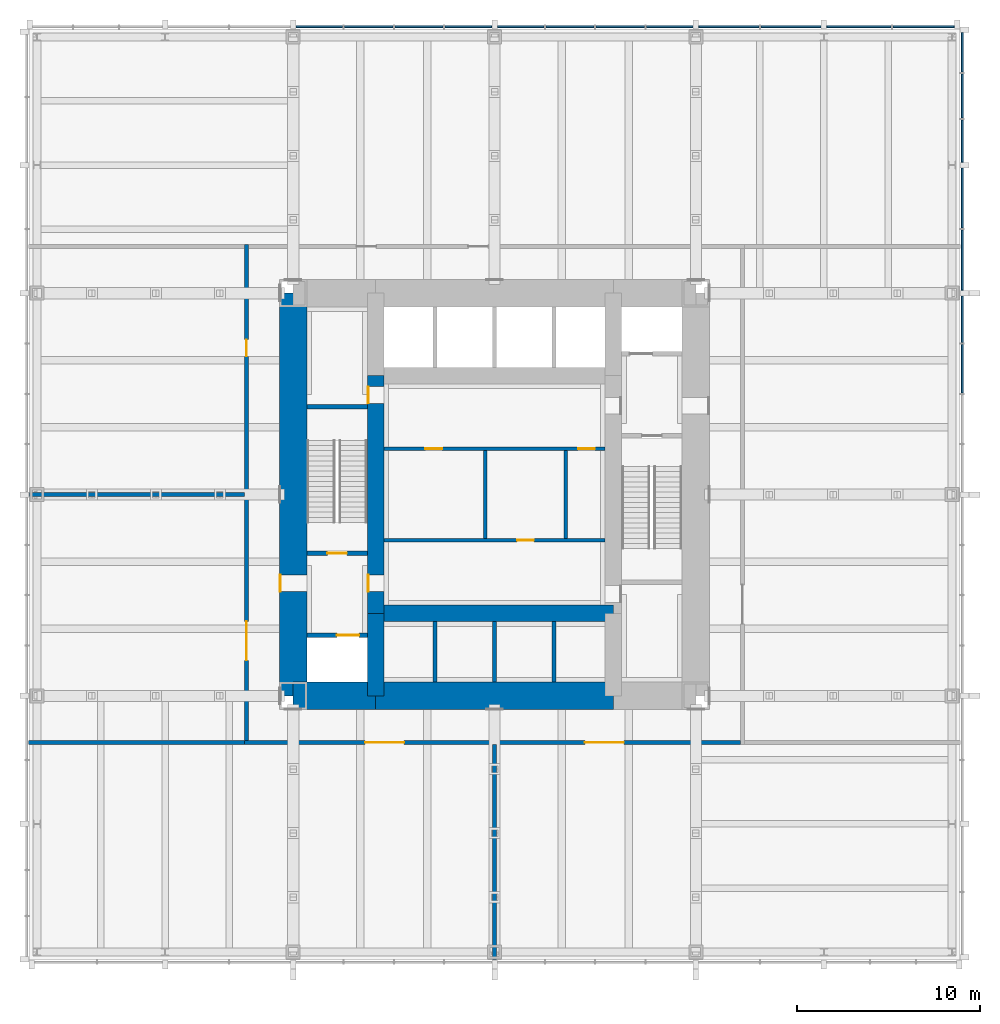
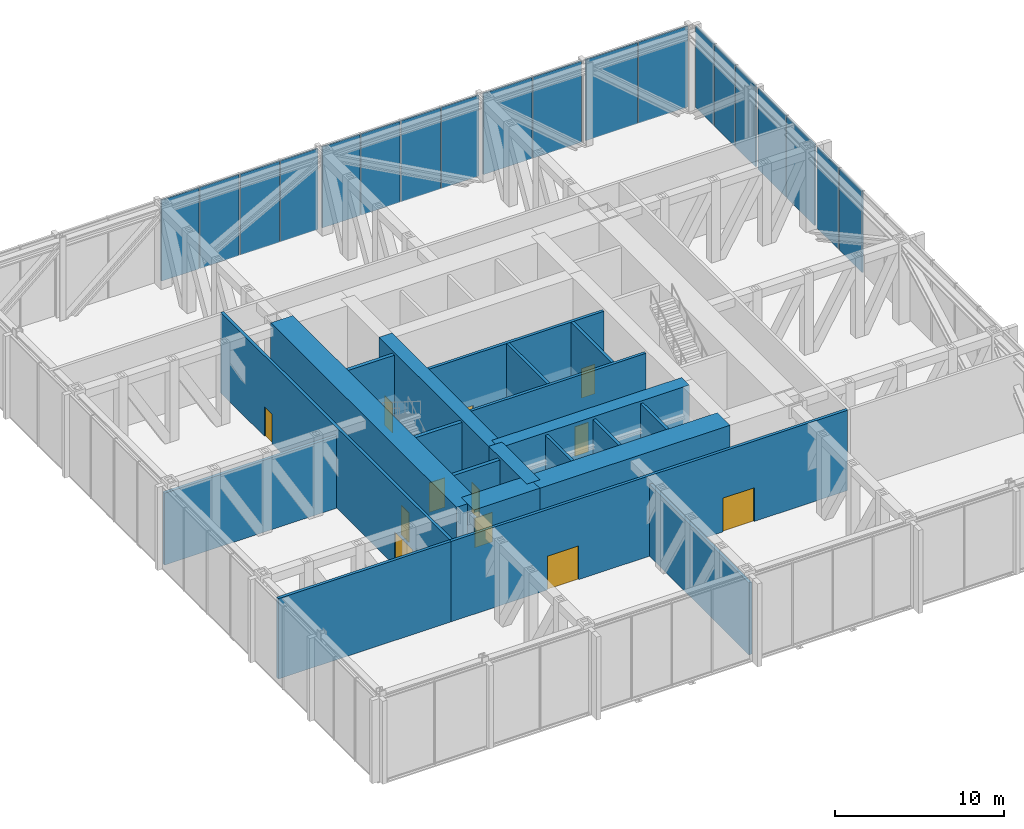
# One storey, part 11 of 13: 21 walls, 19 plates, 12 doors, 12 openings, 2 elements without a shape of their own.
"""IFC4 building model written with IfcOpenShell, lengths in metres."""

from ifc_helpers import new_model, si_unit, direction, frame, frame_2d, origin, origin_2d, place, context, subcontext, project, spatial, rectangle, extrude, material, layer, layer_set, type_object, element, fill, aggregate, save


model = new_model("IFC4")

# Units and contexts
model_context = context("Model", 3, precision=1e-05, world=origin(), true_north=direction((0.0, 1.0)))
body_context = subcontext(model_context, "Body", "Model", "MODEL_VIEW")
ifc_project = project(units=[si_unit("LENGTHUNIT", "METRE"), si_unit("AREAUNIT", "SQUARE_METRE"), si_unit("VOLUMEUNIT", "CUBIC_METRE"), si_unit("PLANEANGLEUNIT", "RADIAN"), si_unit("MASSUNIT", "GRAM", prefix="KILO")], contexts=[model_context])

# Site, building, storey
site_placement = place(None, origin())
site = spatial("IfcSite", under=ifc_project, at=site_placement, CompositionType="ELEMENT")
building_placement = place(site_placement, origin())
building = spatial("IfcBuilding", under=site, at=building_placement, Name="Trevanion Tower", CompositionType="ELEMENT")
storey_placement = place(building_placement, frame((0.0, 0.0, 89.800048828125)))
storey = spatial("IfcBuildingStorey", under=building, at=storey_placement, Name="L21", CompositionType="ELEMENT", Elevation=89.800048828125)

# Curtain wall, plates
ifc_material_1 = material(Name="Aluminium louvres", Category="aluminium")
curtain_wall_type = type_object("IfcCurtainWallType", Name="CWL curtain wall", PredefinedType="USERDEFINED", material=ifc_material_1)
curtain_wall_1_placement = place(storey_placement, origin())
curtain_wall_1 = element("IfcCurtainWall", 1, at=curtain_wall_1_placement, inside=storey, type_object=curtain_wall_type, Name="CWL L21 0", ObjectType="LOUVRE SCREEN", PredefinedType="USERDEFINED")
ifc_material_2 = material(Name="Aluminium louvres", Category="aluminium")
ifc_layer_1 = layer(ifc_material_2, 0.10009765625)
ifc_layer_set_1 = layer_set([ifc_layer_1], Name="CWL louvre panel")
plate_type = type_object("IfcPlateType", Name="CWL louvre panel", PredefinedType="CURTAIN_PANEL", material=ifc_layer_set_1)
plate_1_placement = place(storey_placement, frame((25.550048828125, 6.875, -0.114990234375), z_axis=(0.0, 0.0, 1.0), x_axis=(0.0, 1.0, 0.0)))
plate_1 = element("IfcPlate", 2, at=plate_1_placement, type_object=plate_type, Name="CWL panel 11.1", PredefinedType="CURTAIN_PANEL", context=body_context, shape_type="SweptSolid", body=[
    extrude(rectangle(XDim=2.675048828125, YDim=0.10009765625, at=origin_2d()), origin(), (0.0, 0.0, 1.0), 5.85009765625),
])
plate_2_placement = place(storey_placement, frame((25.550048828125, 9.56884765625, -0.114990234375), z_axis=(0.0, 0.0, 1.0), x_axis=(0.0, 1.0, 0.0)))
plate_2 = element("IfcPlate", 3, at=plate_2_placement, type_object=plate_type, Name="CWL panel 12.1", PredefinedType="CURTAIN_PANEL", context=body_context, shape_type="SweptSolid", body=[
    extrude(rectangle(XDim=2.5625, YDim=0.10009765625, at=origin_2d()), origin(), (0.0, 0.0, 1.0), 5.85009765625),
])
plate_3_placement = place(storey_placement, frame((25.550048828125, 12.80615234375, -0.114990234375), z_axis=(0.0, 0.0, 1.0), x_axis=(0.0, 1.0, 0.0)))
plate_3 = element("IfcPlate", 4, at=plate_3_placement, type_object=plate_type, Name="CWL panel 13.1", PredefinedType="CURTAIN_PANEL", context=body_context, shape_type="SweptSolid", body=[
    extrude(rectangle(XDim=3.3125, YDim=0.10009765625, at=origin_2d()), origin(), (0.0, 0.0, 1.0), 5.85009765625),
])
plate_4_placement = place(storey_placement, frame((25.550048828125, 16.19384765625, -0.114990234375), z_axis=(0.0, 0.0, 1.0), x_axis=(0.0, 1.0, 0.0)))
plate_4 = element("IfcPlate", 5, at=plate_4_placement, type_object=plate_type, Name="CWL panel 14.1", PredefinedType="CURTAIN_PANEL", context=body_context, shape_type="SweptSolid", body=[
    extrude(rectangle(XDim=3.3125, YDim=0.10009765625, at=origin_2d()), origin(), (0.0, 0.0, 1.0), 5.85009765625),
])
plate_5_placement = place(storey_placement, frame((25.550048828125, 19.314697265625, -0.114990234375), z_axis=(0.0, 0.0, 1.0), x_axis=(0.0, 1.0, 0.0)))
plate_5 = element("IfcPlate", 6, at=plate_5_placement, type_object=plate_type, Name="CWL panel 15.1", PredefinedType="CURTAIN_PANEL", context=body_context, shape_type="SweptSolid", body=[
    extrude(rectangle(XDim=2.3291015625, YDim=0.10009765625, at=origin_2d()), origin(), (0.0, 0.0, 1.0), 5.85009765625),
])
plate_6_placement = place(storey_placement, frame((25.550048828125, 21.77490234375, -0.114990234375), z_axis=(0.0, 0.0, 1.0), x_axis=(0.0, 1.0, 0.0)))
plate_6 = element("IfcPlate", 7, at=plate_6_placement, type_object=plate_type, Name="CWL panel 16.1", PredefinedType="CURTAIN_PANEL", context=body_context, shape_type="SweptSolid", body=[
    extrude(rectangle(XDim=2.441650390625, YDim=0.10009765625, at=origin_2d()), origin(), (0.0, 0.0, 1.0), 5.85009765625),
])
plate_7_placement = place(storey_placement, frame((25.550048828125, 24.160400390625, -0.114990234375), z_axis=(0.0, 0.0, 1.0), x_axis=(0.0, 1.0, 0.0)))
plate_7 = element("IfcPlate", 8, at=plate_7_placement, type_object=plate_type, Name="CWL panel 17.1", PredefinedType="CURTAIN_PANEL", context=body_context, shape_type="SweptSolid", body=[
    extrude(rectangle(XDim=2.17919921875, YDim=0.10009765625, at=origin_2d()), origin(), (0.0, 0.0, 1.0), 5.85009765625),
])
aggregate(curtain_wall_1, [plate_1, plate_2, plate_3, plate_4, plate_5, plate_6, plate_7])

curtain_wall_2_placement = place(storey_placement, origin())
curtain_wall_2 = element("IfcCurtainWall", 9, at=curtain_wall_2_placement, inside=storey, type_object=curtain_wall_type, Name="CWL L21 1", ObjectType="LOUVRE SCREEN", PredefinedType="USERDEFINED")
plate_8_placement = place(storey_placement, frame((23.433837890625, 25.550048828125, -0.114990234375), z_axis=(0.0, 0.0, 1.0), x_axis=(-1.0, 0.0, 0.0)))
plate_8 = element("IfcPlate", 10, at=plate_8_placement, type_object=plate_type, Name="CWL panel 1.1", PredefinedType="CURTAIN_PANEL", context=body_context, shape_type="SweptSolid", body=[
    extrude(rectangle(XDim=3.37255859375, YDim=0.10009765625, at=origin_2d()), origin(), (0.0, 0.0, 1.0), 5.85009765625),
])
plate_9_placement = place(storey_placement, frame((19.911376953125, 25.550048828125, -0.114990234375), z_axis=(0.0, 0.0, 1.0), x_axis=(-1.0, 0.0, 0.0)))
plate_9 = element("IfcPlate", 11, at=plate_9_placement, type_object=plate_type, Name="CWL panel 2.1", PredefinedType="CURTAIN_PANEL", context=body_context, shape_type="SweptSolid", body=[
    extrude(rectangle(XDim=3.5224609375, YDim=0.10009765625, at=origin_2d()), origin(), (0.0, 0.0, 1.0), 5.85009765625),
])
plate_10_placement = place(storey_placement, frame((16.19384765625, 25.550048828125, -0.114990234375), z_axis=(0.0, 0.0, 1.0), x_axis=(-1.0, 0.0, 0.0)))
plate_10 = element("IfcPlate", 12, at=plate_10_placement, type_object=plate_type, Name="CWL panel 3.1", PredefinedType="CURTAIN_PANEL", context=body_context, shape_type="SweptSolid", body=[
    extrude(rectangle(XDim=3.3125, YDim=0.10009765625, at=origin_2d()), origin(), (0.0, 0.0, 1.0), 5.85009765625),
])
plate_11_placement = place(storey_placement, frame((12.806396484375, 25.550048828125, -0.114990234375), z_axis=(0.0, 0.0, 1.0), x_axis=(-1.0, 0.0, 0.0)))
plate_11 = element("IfcPlate", 13, at=plate_11_placement, type_object=plate_type, Name="CWL panel 4.1", PredefinedType="CURTAIN_PANEL", context=body_context, shape_type="SweptSolid", body=[
    extrude(rectangle(XDim=3.3125, YDim=0.10009765625, at=origin_2d()), origin(), (0.0, 0.0, 1.0), 5.85009765625),
])
plate_12_placement = place(storey_placement, frame((9.56884765625, 25.550048828125, -0.114990234375), z_axis=(0.0, 0.0, 1.0), x_axis=(-1.0, 0.0, 0.0)))
plate_12 = element("IfcPlate", 14, at=plate_12_placement, type_object=plate_type, Name="CWL panel 5.1", PredefinedType="CURTAIN_PANEL", context=body_context, shape_type="SweptSolid", body=[
    extrude(rectangle(XDim=2.5625, YDim=0.10009765625, at=origin_2d()), origin(), (0.0, 0.0, 1.0), 5.85009765625),
])
plate_13_placement = place(storey_placement, frame((6.875, 25.550048828125, -0.114990234375), z_axis=(0.0, 0.0, 1.0), x_axis=(-1.0, 0.0, 0.0)))
plate_13 = element("IfcPlate", 15, at=plate_13_placement, type_object=plate_type, Name="CWL panel 6.1", PredefinedType="CURTAIN_PANEL", context=body_context, shape_type="SweptSolid", body=[
    extrude(rectangle(XDim=2.675048828125, YDim=0.10009765625, at=origin_2d()), origin(), (0.0, 0.0, 1.0), 5.85009765625),
])
plate_14_placement = place(storey_placement, frame((4.125, 25.550048828125, -0.114990234375), z_axis=(0.0, 0.0, 1.0), x_axis=(-1.0, 0.0, 0.0)))
plate_14 = element("IfcPlate", 16, at=plate_14_placement, type_object=plate_type, Name="CWL panel 7.1", PredefinedType="CURTAIN_PANEL", context=body_context, shape_type="SweptSolid", body=[
    extrude(rectangle(XDim=2.675048828125, YDim=0.10009765625, at=origin_2d()), origin(), (0.0, 0.0, 1.0), 5.85009765625),
])
plate_15_placement = place(storey_placement, frame((1.43115234375, 25.550048828125, -0.114990234375), z_axis=(0.0, 0.0, 1.0), x_axis=(-1.0, 0.0, 0.0)))
plate_15 = element("IfcPlate", 17, at=plate_15_placement, type_object=plate_type, Name="CWL panel 8.1", PredefinedType="CURTAIN_PANEL", context=body_context, shape_type="SweptSolid", body=[
    extrude(rectangle(XDim=2.5625, YDim=0.10009765625, at=origin_2d()), origin(), (0.0, 0.0, 1.0), 5.85009765625),
])
plate_16_placement = place(storey_placement, frame((-1.43115234375, 25.550048828125, -0.114990234375), z_axis=(0.0, 0.0, 1.0), x_axis=(-1.0, 0.0, 0.0)))
plate_16 = element("IfcPlate", 18, at=plate_16_placement, type_object=plate_type, Name="CWL panel 9.1", PredefinedType="CURTAIN_PANEL", context=body_context, shape_type="SweptSolid", body=[
    extrude(rectangle(XDim=2.5625, YDim=0.10009765625, at=origin_2d()), origin(), (0.0, 0.0, 1.0), 5.85009765625),
])
plate_17_placement = place(storey_placement, frame((-4.125, 25.550048828125, -0.114990234375), z_axis=(0.0, 0.0, 1.0), x_axis=(-1.0, 0.0, 0.0)))
plate_17 = element("IfcPlate", 19, at=plate_17_placement, type_object=plate_type, Name="CWL panel 10.1", PredefinedType="CURTAIN_PANEL", context=body_context, shape_type="SweptSolid", body=[
    extrude(rectangle(XDim=2.675048828125, YDim=0.10009765625, at=origin_2d()), origin(), (0.0, 0.0, 1.0), 5.85009765625),
])
plate_18_placement = place(storey_placement, frame((-6.875, 25.550048828125, -0.114990234375), z_axis=(0.0, 0.0, 1.0), x_axis=(-1.0, 0.0, 0.0)))
plate_18 = element("IfcPlate", 20, at=plate_18_placement, type_object=plate_type, Name="CWL panel 11.1", PredefinedType="CURTAIN_PANEL", context=body_context, shape_type="SweptSolid", body=[
    extrude(rectangle(XDim=2.675048828125, YDim=0.10009765625, at=origin_2d()), origin(), (0.0, 0.0, 1.0), 5.85009765625),
])
plate_19_placement = place(storey_placement, frame((-9.56884765625, 25.550048828125, -0.114990234375), z_axis=(0.0, 0.0, 1.0), x_axis=(-1.0, 0.0, 0.0)))
plate_19 = element("IfcPlate", 21, at=plate_19_placement, type_object=plate_type, Name="CWL panel 12.1", PredefinedType="CURTAIN_PANEL", context=body_context, shape_type="SweptSolid", body=[
    extrude(rectangle(XDim=2.5625, YDim=0.10009765625, at=origin_2d()), origin(), (0.0, 0.0, 1.0), 5.85009765625),
])
aggregate(curtain_wall_2, [plate_8, plate_9, plate_10, plate_11, plate_12, plate_13, plate_14, plate_15, plate_16, plate_17, plate_18, plate_19])

# Wall, opening, door
ifc_material_3 = material(Name="Concrete 10,000 psi", Category="concrete")
ifc_layer_2 = layer(ifc_material_3, 1.5)
ifc_layer_set_2 = layer_set([ifc_layer_2], Name="CW1 core wall 1500")
wall_type_1 = type_object("IfcWallType", Name="CW1 core wall 1500", PredefinedType="SHEAR", material=ifc_layer_set_2)
wall_1_placement = place(storey_placement, frame((-11.0, 11.0, 0.0), z_axis=(0.0, 0.0, 1.0), x_axis=(0.0, -1.0, 0.0)))
wall_1 = element("IfcWall", 22, at=wall_1_placement, inside=storey, type_object=wall_type_1, Name="CW1 CW L21", PredefinedType="SHEAR", context=body_context, shape_type="SweptSolid", body=[
    extrude(rectangle(XDim=22.0, YDim=1.5, at=frame_2d((11.0, 0.0))), origin(), (0.0, 0.0, 1.0), 6.0),
])
opening_1_placement = place(wall_1_placement, frame((15.392578125, 0.0, 0.0)))
opening_1 = element("IfcOpeningElement", 23, at=opening_1_placement, cuts=wall_1, Name="Opening 21-002", PredefinedType="OPENING", context=body_context, shape_type="SweptSolid", body=[
    extrude(rectangle(XDim=0.9150390625, YDim=2.134033203125, at=frame_2d((0.45751953125, 1.06689453125))), frame((0.0, 0.760009765625, 0.0), z_axis=(0.0, -1.0, 0.0), x_axis=(1.0, 0.0, 0.0)), (0.0, 0.0, 1.0), 1.52001953125),
])
ifc_material_4 = material(Name="Hollow metal, fire rated", Category="steel")
door_type_1 = type_object("IfcDoorType", Name="D3 fire lift lobby door", OperationType="SINGLE_SWING_RIGHT", PredefinedType="DOOR", material=ifc_material_4)
door_1_placement = place(opening_1_placement, origin())
door_1 = element("IfcDoor", 24, at=door_1_placement, inside=storey, type_object=door_type_1, Name="Door 21-002", OperationType="SINGLE_SWING_RIGHT", OverallHeight=2.134033203125, OverallWidth=0.9150390625, PredefinedType="DOOR", context=body_context, shape_type="SweptSolid", body=[
    extrude(rectangle(XDim=0.9150390625, YDim=2.134033203125, at=frame_2d((0.45751953125, 1.06689453125))), frame((0.0, -0.6748046875, 0.0), z_axis=(0.0, -1.0, 0.0), x_axis=(1.0, 0.0, 0.0)), (0.0, 0.0, 1.0), 0.050048828125),
])
fill(opening_1, door_1)

# Walls
wall_2_placement = place(storey_placement, frame((-11.0, -11.0, 0.0), z_axis=(0.0, 0.0, 1.0), x_axis=(1.0, 0.0, 0.0)))
element("IfcWall", 25, at=wall_2_placement, inside=storey, type_object=wall_type_1, Name="CW1 CS1 L21", PredefinedType="SHEAR", context=body_context, shape_type="SweptSolid", body=[
    extrude(rectangle(XDim=4.5, YDim=1.5, at=frame_2d((2.25, 0.0))), origin(), (0.0, 0.0, 1.0), 6.0),
])
wall_3_placement = place(storey_placement, frame((-6.5, -11.0, 0.0), z_axis=(0.0, 0.0, 1.0), x_axis=(1.0, 0.0, 0.0)))
element("IfcWall", 26, at=wall_3_placement, inside=storey, type_object=wall_type_1, Name="CW1 CS2 L21", PredefinedType="SHEAR", context=body_context, shape_type="SweptSolid", body=[
    extrude(rectangle(XDim=13.0, YDim=1.5, at=frame_2d((6.5, 0.0))), origin(), (0.0, 0.0, 1.0), 6.0),
])

# Wall, openings, doors
ifc_material_5 = material(Name="Concrete 10,000 psi", Category="concrete")
ifc_layer_3 = layer(ifc_material_5, 0.89990234375)
ifc_layer_set_3 = layer_set([ifc_layer_3], Name="CW2 core wall 900")
wall_type_2 = type_object("IfcWallType", Name="CW2 core wall 900", PredefinedType="SHEAR", material=ifc_layer_set_3)
wall_4_placement = place(storey_placement, frame((-6.5, 6.5, 0.0), z_axis=(0.0, 0.0, 1.0), x_axis=(0.0, -1.0, 0.0)))
wall_4 = element("IfcWall", 27, at=wall_4_placement, inside=storey, type_object=wall_type_2, Name="CW2 RW2 L21", PredefinedType="SHEAR", context=body_context, shape_type="SweptSolid", body=[
    extrude(rectangle(XDim=13.0, YDim=0.89990234375, at=frame_2d((6.5, 0.0))), origin(), (0.0, 0.0, 1.0), 6.0),
])
opening_2_placement = place(wall_4_placement, frame((10.892578125, 0.0, 0.0)))
opening_2 = element("IfcOpeningElement", 28, at=opening_2_placement, cuts=wall_4, Name="Opening 21-004", PredefinedType="OPENING", context=body_context, shape_type="SweptSolid", body=[
    extrude(rectangle(XDim=0.9150390625, YDim=2.134033203125, at=frame_2d((0.45751953125, 1.06689453125))), frame((0.0, 0.4599609375, 0.0), z_axis=(0.0, -1.0, 0.0), x_axis=(1.0, 0.0, 0.0)), (0.0, 0.0, 1.0), 0.919921875),
])
opening_3_placement = place(wall_4_placement, frame((0.610107421875, 0.0, 0.0)))
opening_3 = element("IfcOpeningElement", 29, at=opening_3_placement, cuts=wall_4, Name="Opening 21-010", PredefinedType="OPENING", context=body_context, shape_type="SweptSolid", body=[
    extrude(rectangle(XDim=0.9150390625, YDim=2.134033203125, at=frame_2d((0.45751953125, 1.06689453125))), frame((0.0, 0.4599609375, 0.0), z_axis=(0.0, -1.0, 0.0), x_axis=(1.0, 0.0, 0.0)), (0.0, 0.0, 1.0), 0.919921875),
])
door_2_placement = place(opening_2_placement, origin())
door_2 = element("IfcDoor", 30, at=door_2_placement, inside=storey, type_object=door_type_1, Name="Door 21-004", OperationType="SINGLE_SWING_RIGHT", OverallHeight=2.134033203125, OverallWidth=0.9150390625, PredefinedType="DOOR", context=body_context, shape_type="SweptSolid", body=[
    extrude(rectangle(XDim=0.9150390625, YDim=2.134033203125, at=frame_2d((0.45751953125, 1.06689453125))), frame((0.0, -0.375, 0.0), z_axis=(0.0, -1.0, 0.0), x_axis=(1.0, 0.0, 0.0)), (0.0, 0.0, 1.0), 0.050048828125),
])
fill(opening_2, door_2)
ifc_material_6 = material(Name="Hollow metal, fire rated", Category="steel")
door_type_2 = type_object("IfcDoorType", Name="D5 service room door", OperationType="SINGLE_SWING_RIGHT", PredefinedType="DOOR", material=ifc_material_6)
door_3_placement = place(opening_3_placement, origin())
door_3 = element("IfcDoor", 31, at=door_3_placement, inside=storey, type_object=door_type_2, Name="Door 21-010", OperationType="SINGLE_SWING_RIGHT", OverallHeight=2.134033203125, OverallWidth=0.9150390625, PredefinedType="DOOR", context=body_context, shape_type="SweptSolid", body=[
    extrude(rectangle(XDim=0.9150390625, YDim=2.134033203125, at=frame_2d((0.45751953125, 1.06689453125))), frame((0.0, -0.375, 0.0), z_axis=(0.0, -1.0, 0.0), x_axis=(1.0, 0.0, 0.0)), (0.0, 0.0, 1.0), 0.050048828125),
])
fill(opening_3, door_3)

# Walls
wall_5_placement = place(storey_placement, frame((-6.5, -6.5, 0.0), z_axis=(0.0, 0.0, 1.0), x_axis=(0.0, -1.0, 0.0)))
element("IfcWall", 32, at=wall_5_placement, inside=storey, type_object=wall_type_2, Name="CW2 RW3 L21", PredefinedType="SHEAR", context=body_context, shape_type="SweptSolid", body=[
    extrude(rectangle(XDim=4.5, YDim=0.89990234375, at=frame_2d((2.25, 0.0))), origin(), (0.0, 0.0, 1.0), 6.0),
])
wall_6_placement = place(storey_placement, frame((-6.5, -6.5, 0.0), z_axis=(0.0, 0.0, 1.0), x_axis=(1.0, 0.0, 0.0)))
element("IfcWall", 33, at=wall_6_placement, inside=storey, type_object=wall_type_2, Name="CW2 RS L21", PredefinedType="SHEAR", context=body_context, shape_type="SweptSolid", body=[
    extrude(rectangle(XDim=13.0, YDim=0.89990234375, at=frame_2d((6.5, 0.0))), origin(), (0.0, 0.0, 1.0), 6.0),
])
ifc_material_7 = material(Name="Concrete masonry, grouted", Category="masonry")
ifc_layer_4 = layer(ifc_material_7, 0.199951171875)
ifc_layer_set_4 = layer_set([ifc_layer_4], Name="PT2 partition 200")
wall_type_3 = type_object("IfcWallType", Name="PT2 partition 200", PredefinedType="PARTITIONING", material=ifc_layer_set_4)
for number, where, z_axis, x_axis, name in (
    (34, (-0.5, -2.39990234375, 0.0), (0.0, 0.0, 1.0), (0.0, 1.0, 0.0), "PT2 L21 TP1"),
    (35, (3.89990234375, -2.39990234375, 0.0), (0.0, 0.0, 1.0), (0.0, 1.0, 0.0), "PT2 L21 TP2"),
):
    element("IfcWall", number, at=place(storey_placement, frame(where, z_axis=z_axis, x_axis=x_axis)), inside=storey, type_object=wall_type_3, Name=name, PredefinedType="PARTITIONING", context=body_context, shape_type="SweptSolid", body=[
        extrude(rectangle(XDim=4.7998046875, YDim=0.199951171875, at=frame_2d((2.39990234375, 0.0))), origin(), (0.0, 0.0, 1.0), 5.81005859375),
    ])

# Wall, openings, doors
ifc_material_8 = material(Name="Concrete masonry, grouted", Category="masonry")
ifc_layer_5 = layer(ifc_material_8, 0.199951171875)
ifc_layer_set_5 = layer_set([ifc_layer_5], Name="PT2 partition 200 1 HR")
wall_type_4 = type_object("IfcWallType", Name="PT2 partition 200 1 HR", PredefinedType="PARTITIONING", material=ifc_layer_set_5)
wall_7_placement = place(storey_placement, frame((-6.050048828125, 2.5, 0.0), z_axis=(0.0, 0.0, 1.0), x_axis=(1.0, 0.0, 0.0)))
wall_7 = element("IfcWall", 36, at=wall_7_placement, inside=storey, type_object=wall_type_4, Name="PT2 L21 CP1", PredefinedType="PARTITIONING", context=body_context, shape_type="SweptSolid", body=[
    extrude(rectangle(XDim=12.10009765625, YDim=0.199951171875, at=frame_2d((6.050048828125, 0.0))), origin(), (0.0, 0.0, 1.0), 5.81005859375),
])
opening_4_placement = place(wall_7_placement, frame((2.267578125, 0.0, 0.0)))
opening_4 = element("IfcOpeningElement", 37, at=opening_4_placement, cuts=wall_7, Name="Opening 21-011", PredefinedType="OPENING", context=body_context, shape_type="SweptSolid", body=[
    extrude(rectangle(XDim=0.9150390625, YDim=2.134033203125, at=frame_2d((0.45751953125, 1.06689453125))), frame((0.0, 0.10986328125, 0.0), z_axis=(0.0, -1.0, 0.0), x_axis=(1.0, 0.0, 0.0)), (0.0, 0.0, 1.0), 0.219970703125),
])
opening_5_placement = place(wall_7_placement, frame((10.617431640625, 0.0, 0.0)))
opening_5 = element("IfcOpeningElement", 38, at=opening_5_placement, cuts=wall_7, Name="Opening 21-013", PredefinedType="OPENING", context=body_context, shape_type="SweptSolid", body=[
    extrude(rectangle(XDim=0.9150390625, YDim=2.134033203125, at=frame_2d((0.45751953125, 1.06689453125))), frame((0.0, 0.10986328125, 0.0), z_axis=(0.0, -1.0, 0.0), x_axis=(1.0, 0.0, 0.0)), (0.0, 0.0, 1.0), 0.219970703125),
])
ifc_material_9 = material(Name="Plastic laminate on fire-rated core", Category="wood")
door_type_3 = type_object("IfcDoorType", Name="D12 toilet door in a one hour wall", OperationType="SINGLE_SWING_LEFT", PredefinedType="DOOR", material=ifc_material_9)
door_4_placement = place(opening_4_placement, origin())
door_4 = element("IfcDoor", 39, at=door_4_placement, inside=storey, type_object=door_type_3, Name="Door 21-011", OperationType="SINGLE_SWING_LEFT", OverallHeight=2.134033203125, OverallWidth=0.9150390625, PredefinedType="DOOR", context=body_context, shape_type="SweptSolid", body=[
    extrude(rectangle(XDim=0.9150390625, YDim=2.134033203125, at=frame_2d((0.45751953125, 1.06689453125))), frame((0.0, 0.02490234375, 0.0), z_axis=(0.0, -1.0, 0.0), x_axis=(1.0, 0.0, 0.0)), (0.0, 0.0, 1.0), 0.050048828125),
])
fill(opening_4, door_4)
door_5_placement = place(opening_5_placement, origin())
door_5 = element("IfcDoor", 40, at=door_5_placement, inside=storey, type_object=door_type_3, Name="Door 21-013", OperationType="SINGLE_SWING_LEFT", OverallHeight=2.134033203125, OverallWidth=0.9150390625, PredefinedType="DOOR", context=body_context, shape_type="SweptSolid", body=[
    extrude(rectangle(XDim=0.9150390625, YDim=2.134033203125, at=frame_2d((0.45751953125, 1.06689453125))), frame((0.0, 0.02490234375, 0.0), z_axis=(0.0, -1.0, 0.0), x_axis=(1.0, 0.0, 0.0)), (0.0, 0.0, 1.0), 0.050048828125),
])
fill(opening_5, door_5)

# Wall, opening, door
wall_8_placement = place(storey_placement, frame((6.050048828125, -2.5, 0.0), z_axis=(0.0, 0.0, 1.0), x_axis=(-1.0, 0.0, 0.0)))
wall_8 = element("IfcWall", 41, at=wall_8_placement, inside=storey, type_object=wall_type_4, Name="PT2 L21 CP2", PredefinedType="PARTITIONING", context=body_context, shape_type="SweptSolid", body=[
    extrude(rectangle(XDim=12.10009765625, YDim=0.199951171875, at=frame_2d((6.050048828125, 0.0))), origin(), (0.0, 0.0, 1.0), 5.81005859375),
])
opening_6_placement = place(wall_8_placement, frame((3.892578125, 0.0, 0.0)))
opening_6 = element("IfcOpeningElement", 42, at=opening_6_placement, cuts=wall_8, Name="Opening 21-012", PredefinedType="OPENING", context=body_context, shape_type="SweptSolid", body=[
    extrude(rectangle(XDim=0.9150390625, YDim=2.134033203125, at=frame_2d((0.45751953125, 1.06689453125))), frame((0.0, 0.10986328125, 0.0), z_axis=(0.0, -1.0, 0.0), x_axis=(1.0, 0.0, 0.0)), (0.0, 0.0, 1.0), 0.219970703125),
])
door_6_placement = place(opening_6_placement, origin())
door_6 = element("IfcDoor", 43, at=door_6_placement, inside=storey, type_object=door_type_3, Name="Door 21-012", OperationType="SINGLE_SWING_LEFT", OverallHeight=2.134033203125, OverallWidth=0.9150390625, PredefinedType="DOOR", context=body_context, shape_type="SweptSolid", body=[
    extrude(rectangle(XDim=0.9150390625, YDim=2.134033203125, at=frame_2d((0.45751953125, 1.06689453125))), frame((0.0, 0.02490234375, 0.0), z_axis=(0.0, -1.0, 0.0), x_axis=(1.0, 0.0, 0.0)), (0.0, 0.0, 1.0), 0.050048828125),
])
fill(opening_6, door_6)

# Walls
ifc_material_10 = material(Name="Concrete masonry, grouted", Category="masonry")
ifc_layer_6 = layer(ifc_material_10, 0.199951171875)
ifc_layer_set_6 = layer_set([ifc_layer_6], Name="PT2 partition 200 2 HR")
wall_type_5 = type_object("IfcWallType", Name="PT2 partition 200 2 HR", PredefinedType="PARTITIONING", material=ifc_layer_set_6)
for number, where, z_axis, x_axis, name in (
    (44, (-3.25, -10.25, 0.0), (0.0, 0.0, 1.0), (0.0, 1.0, 0.0), "PT2 L21 SS0"),
    (45, (0.0, -10.25, 0.0), (0.0, 0.0, 1.0), (0.0, 1.0, 0.0), "PT2 L21 SS1"),
    (46, (3.25, -10.25, 0.0), (0.0, 0.0, 1.0), (0.0, 1.0, 0.0), "PT2 L21 SS2"),
):
    element("IfcWall", number, at=place(storey_placement, frame(where, z_axis=z_axis, x_axis=x_axis)), inside=storey, type_object=wall_type_5, Name=name, PredefinedType="PARTITIONING", context=body_context, shape_type="SweptSolid", body=[
        extrude(rectangle(XDim=3.300048828125, YDim=0.199951171875, at=frame_2d((1.64990234375, 0.0))), origin(), (0.0, 0.0, 1.0), 5.81005859375),
    ])

# Wall, openings, doors
wall_9_placement = place(storey_placement, frame((-13.550048828125, 13.64990234375, 0.0), z_axis=(0.0, 0.0, 1.0), x_axis=(0.0, -1.0, 0.0)))
wall_9 = element("IfcWall", 47, at=wall_9_placement, inside=storey, type_object=wall_type_5, Name="PT2 L21 PW2", PredefinedType="PARTITIONING", context=body_context, shape_type="SweptSolid", body=[
    extrude(rectangle(XDim=27.099853515625, YDim=0.199951171875, at=frame_2d((13.5498046875, 0.0))), origin(), (0.0, 0.0, 1.0), 5.81005859375),
])
opening_7_placement = place(wall_9_placement, frame((20.5830078125, 0.0, 0.0)))
opening_7 = element("IfcOpeningElement", 48, at=opening_7_placement, cuts=wall_9, Name="Opening 21-019", PredefinedType="OPENING", context=body_context, shape_type="SweptSolid", body=[
    extrude(rectangle(XDim=2.134033203125, YDim=2.43798828125, at=frame_2d((1.06689453125, 1.218994140625))), frame((0.0, 0.10986328125, 0.0), z_axis=(0.0, -1.0, 0.0), x_axis=(1.0, 0.0, 0.0)), (0.0, 0.0, 1.0), 0.219970703125),
])
opening_8_placement = place(wall_9_placement, frame((5.1923828125, 0.0, 0.0)))
opening_8 = element("IfcOpeningElement", 49, at=opening_8_placement, cuts=wall_9, Name="Opening 21-020", PredefinedType="OPENING", context=body_context, shape_type="SweptSolid", body=[
    extrude(rectangle(XDim=0.9150390625, YDim=2.134033203125, at=frame_2d((0.45751953125, 1.06689453125))), frame((0.0, 0.10986328125, 0.0), z_axis=(0.0, -1.0, 0.0), x_axis=(1.0, 0.0, 0.0)), (0.0, 0.0, 1.0), 0.219970703125),
])
ifc_material_11 = material(Name="Hollow metal, fire rated", Category="steel")
door_type_4 = type_object("IfcDoorType", Name="D15 plant room equipment double door", OperationType="DOUBLE_DOOR_SINGLE_SWING", PredefinedType="DOOR", material=ifc_material_11)
door_7_placement = place(opening_7_placement, origin())
door_7 = element("IfcDoor", 50, at=door_7_placement, inside=storey, type_object=door_type_4, Name="Door 21-019", OperationType="DOUBLE_DOOR_SINGLE_SWING", OverallHeight=2.43798828125, OverallWidth=2.134033203125, PredefinedType="DOOR", context=body_context, shape_type="SweptSolid", body=[
    extrude(rectangle(XDim=2.134033203125, YDim=2.43798828125, at=frame_2d((1.06689453125, 1.218994140625))), frame((0.0, 0.02490234375, 0.0), z_axis=(0.0, -1.0, 0.0), x_axis=(1.0, 0.0, 0.0)), (0.0, 0.0, 1.0), 0.050048828125),
])
fill(opening_7, door_7)
door_8_placement = place(opening_8_placement, origin())
door_8 = element("IfcDoor", 51, at=door_8_placement, inside=storey, type_object=door_type_2, Name="Door 21-020", OperationType="SINGLE_SWING_RIGHT", OverallHeight=2.134033203125, OverallWidth=0.9150390625, PredefinedType="DOOR", context=body_context, shape_type="SweptSolid", body=[
    extrude(rectangle(XDim=0.9150390625, YDim=2.134033203125, at=frame_2d((0.45751953125, 1.06689453125))), frame((0.0, 0.02490234375, 0.0), z_axis=(0.0, -1.0, 0.0), x_axis=(1.0, 0.0, 0.0)), (0.0, 0.0, 1.0), 0.050048828125),
])
fill(opening_8, door_8)

wall_10_placement = place(storey_placement, frame((-13.64990234375, -13.550048828125, 0.0), z_axis=(0.0, 0.0, 1.0), x_axis=(1.0, 0.0, 0.0)))
wall_10 = element("IfcWall", 52, at=wall_10_placement, inside=storey, type_object=wall_type_5, Name="PT2 L21 PW3", PredefinedType="PARTITIONING", context=body_context, shape_type="SweptSolid", body=[
    extrude(rectangle(XDim=27.099853515625, YDim=0.199951171875, at=frame_2d((13.5498046875, 0.0))), origin(), (0.0, 0.0, 1.0), 5.81005859375),
])
opening_9_placement = place(wall_10_placement, frame((6.5830078125, 0.0, 0.0)))
opening_9 = element("IfcOpeningElement", 53, at=opening_9_placement, cuts=wall_10, Name="Opening 21-017", PredefinedType="OPENING", context=body_context, shape_type="SweptSolid", body=[
    extrude(rectangle(XDim=2.134033203125, YDim=2.43798828125, at=frame_2d((1.06689453125, 1.218994140625))), frame((0.0, 0.10986328125, 0.0), z_axis=(0.0, -1.0, 0.0), x_axis=(1.0, 0.0, 0.0)), (0.0, 0.0, 1.0), 0.219970703125),
])
opening_10_placement = place(wall_10_placement, frame((18.5830078125, 0.0, 0.0)))
opening_10 = element("IfcOpeningElement", 54, at=opening_10_placement, cuts=wall_10, Name="Opening 21-018", PredefinedType="OPENING", context=body_context, shape_type="SweptSolid", body=[
    extrude(rectangle(XDim=2.134033203125, YDim=2.43798828125, at=frame_2d((1.06689453125, 1.218994140625))), frame((0.0, 0.10986328125, 0.0), z_axis=(0.0, -1.0, 0.0), x_axis=(1.0, 0.0, 0.0)), (0.0, 0.0, 1.0), 0.219970703125),
])
door_9_placement = place(opening_9_placement, origin())
door_9 = element("IfcDoor", 55, at=door_9_placement, inside=storey, type_object=door_type_4, Name="Door 21-017", OperationType="DOUBLE_DOOR_SINGLE_SWING", OverallHeight=2.43798828125, OverallWidth=2.134033203125, PredefinedType="DOOR", context=body_context, shape_type="SweptSolid", body=[
    extrude(rectangle(XDim=2.134033203125, YDim=2.43798828125, at=frame_2d((1.06689453125, 1.218994140625))), frame((0.0, 0.02490234375, 0.0), z_axis=(0.0, -1.0, 0.0), x_axis=(1.0, 0.0, 0.0)), (0.0, 0.0, 1.0), 0.050048828125),
])
fill(opening_9, door_9)
door_10_placement = place(opening_10_placement, origin())
door_10 = element("IfcDoor", 56, at=door_10_placement, inside=storey, type_object=door_type_4, Name="Door 21-018", OperationType="DOUBLE_DOOR_SINGLE_SWING", OverallHeight=2.43798828125, OverallWidth=2.134033203125, PredefinedType="DOOR", context=body_context, shape_type="SweptSolid", body=[
    extrude(rectangle(XDim=2.134033203125, YDim=2.43798828125, at=frame_2d((1.06689453125, 1.218994140625))), frame((0.0, 0.02490234375, 0.0), z_axis=(0.0, -1.0, 0.0), x_axis=(1.0, 0.0, 0.0)), (0.0, 0.0, 1.0), 0.050048828125),
])
fill(opening_10, door_10)

# Walls
wall_11_placement = place(storey_placement, frame((-13.64990234375, -13.550048828125, 0.0), z_axis=(0.0, 0.0, 1.0), x_axis=(-1.0, 0.0, 0.0)))
element("IfcWall", 57, at=wall_11_placement, inside=storey, type_object=wall_type_5, Name="PT2 L21 PBSW", PredefinedType="PARTITIONING", context=body_context, shape_type="SweptSolid", body=[
    extrude(rectangle(XDim=11.815185546875, YDim=0.199951171875, at=frame_2d((5.90771484375, 0.0))), origin(), (0.0, 0.0, 1.0), 5.81005859375),
])
for number, where, z_axis, x_axis, name in (
    (58, (0.0, -13.64990234375, 0.0), (0.0, 0.0, 1.0), (0.0, -1.0, 0.0), "PT2 L21 PSX"),
    (59, (-13.64990234375, 0.0, 0.0), (0.0, 0.0, 1.0), (-1.0, 0.0, 0.0), "PT2 L21 PWX"),
):
    element("IfcWall", number, at=place(storey_placement, frame(where, z_axis=z_axis, x_axis=x_axis)), inside=storey, type_object=wall_type_5, Name=name, PredefinedType="PARTITIONING", context=body_context, shape_type="SweptSolid", body=[
        extrude(rectangle(XDim=11.76513671875, YDim=0.199951171875, at=frame_2d((5.882568359375, 0.0))), origin(), (0.0, 0.0, 1.0), 5.200439453125),
    ])

# Wall, opening, door
ifc_material_12 = material(Name="Concrete masonry, grouted, two-hour", Category="masonry")
ifc_layer_7 = layer(ifc_material_12, 0.25)
ifc_layer_set_7 = layer_set([ifc_layer_7], Name="PT3 partition 250 2 HR")
wall_type_6 = type_object("IfcWallType", Name="PT3 partition 250 2 HR", PredefinedType="PARTITIONING", material=ifc_layer_set_7)
wall_12_placement = place(storey_placement, frame((-6.949951171875, -7.699951171875, 0.0), z_axis=(0.0, 0.0, 1.0), x_axis=(-1.0, 0.0, 0.0)))
wall_12 = element("IfcWall", 60, at=wall_12_placement, inside=storey, type_object=wall_type_6, Name="PT3 L21 WP3", PredefinedType="PARTITIONING", context=body_context, shape_type="SweptSolid", body=[
    extrude(rectangle(XDim=3.300048828125, YDim=0.25, at=frame_2d((1.64990234375, 0.0))), origin(), (0.0, 0.0, 1.0), 5.81005859375),
])
opening_11_placement = place(wall_12_placement, frame((0.449951171875, 0.0, 0.0)))
opening_11 = element("IfcOpeningElement", 61, at=opening_11_placement, cuts=wall_12, Name="Opening 21-008", PredefinedType="OPENING", context=body_context, shape_type="SweptSolid", body=[
    extrude(rectangle(XDim=1.218994140625, YDim=2.134033203125, at=frame_2d((0.609375, 1.06689453125))), frame((0.0, 0.135009765625, 0.0), z_axis=(0.0, -1.0, 0.0), x_axis=(1.0, 0.0, 0.0)), (0.0, 0.0, 1.0), 0.27001953125),
])
ifc_material_13 = material(Name="Stainless steel, fire rated", Category="steel")
door_type_5 = type_object("IfcDoorType", Name="LD2 fire service lift landing door", OperationType="SLIDING_TO_LEFT", PredefinedType="DOOR", material=ifc_material_13)
door_11_placement = place(opening_11_placement, origin())
door_11 = element("IfcDoor", 62, at=door_11_placement, inside=storey, type_object=door_type_5, Name="Door 21-008", OperationType="SLIDING_TO_LEFT", OverallHeight=2.134033203125, OverallWidth=1.218994140625, PredefinedType="DOOR", context=body_context, shape_type="SweptSolid", body=[
    extrude(rectangle(XDim=1.218994140625, YDim=2.134033203125, at=frame_2d((0.609375, 1.06689453125))), frame((0.0, 0.02490234375, 0.0), z_axis=(0.0, -1.0, 0.0), x_axis=(1.0, 0.0, 0.0)), (0.0, 0.0, 1.0), 0.050048828125),
])
fill(opening_11, door_11)

# Wall
ifc_material_14 = material(Name="Reinforced masonry, fully grouted", Category="masonry")
ifc_layer_8 = layer(ifc_material_14, 0.25)
ifc_layer_set_8 = layer_set([ifc_layer_8], Name="SW1 stair shaft wall 250")
wall_type_7 = type_object("IfcWallType", Name="SW1 stair shaft wall 250", PredefinedType="SOLIDWALL", material=ifc_layer_set_8)
wall_13_placement = place(storey_placement, frame((-6.949951171875, 4.800048828125, 0.0), z_axis=(0.0, 0.0, 1.0), x_axis=(-1.0, 0.0, 0.0)))
element("IfcWall", 63, at=wall_13_placement, inside=storey, type_object=wall_type_7, Name="SW1 L21 WP1", PredefinedType="SOLIDWALL", context=body_context, shape_type="SweptSolid", body=[
    extrude(rectangle(XDim=3.300048828125, YDim=0.25, at=frame_2d((1.64990234375, 0.0))), origin(), (0.0, 0.0, 1.0), 5.81005859375),
])

# Wall, opening, door
wall_14_placement = place(storey_placement, frame((-6.949951171875, -3.199951171875, 0.0), z_axis=(0.0, 0.0, 1.0), x_axis=(-1.0, 0.0, 0.0)))
wall_14 = element("IfcWall", 64, at=wall_14_placement, inside=storey, type_object=wall_type_7, Name="SW1 L21 WP2", PredefinedType="SOLIDWALL", context=body_context, shape_type="SweptSolid", body=[
    extrude(rectangle(XDim=3.300048828125, YDim=0.25, at=frame_2d((1.64990234375, 0.0))), origin(), (0.0, 0.0, 1.0), 5.81005859375),
])
opening_12_placement = place(wall_14_placement, frame((1.116455078125, 0.0, 0.0)))
opening_12 = element("IfcOpeningElement", 65, at=opening_12_placement, cuts=wall_14, Name="Opening 21-006", PredefinedType="OPENING", context=body_context, shape_type="SweptSolid", body=[
    extrude(rectangle(XDim=1.06689453125, YDim=2.134033203125, at=frame_2d((0.533447265625, 1.06689453125))), frame((0.0, 0.135009765625, 0.0), z_axis=(0.0, -1.0, 0.0), x_axis=(1.0, 0.0, 0.0)), (0.0, 0.0, 1.0), 0.27001953125),
])
ifc_material_15 = material(Name="Hollow metal, fire rated", Category="steel")
door_type_6 = type_object("IfcDoorType", Name="D2 exit stair door", OperationType="SINGLE_SWING_LEFT", PredefinedType="DOOR", material=ifc_material_15)
door_12_placement = place(opening_12_placement, origin())
door_12 = element("IfcDoor", 66, at=door_12_placement, inside=storey, type_object=door_type_6, Name="Door 21-006", OperationType="SINGLE_SWING_LEFT", OverallHeight=2.134033203125, OverallWidth=1.06689453125, PredefinedType="DOOR", context=body_context, shape_type="SweptSolid", body=[
    extrude(rectangle(XDim=1.06689453125, YDim=2.134033203125, at=frame_2d((0.533447265625, 1.06689453125))), frame((0.0, 0.02490234375, 0.0), z_axis=(0.0, -1.0, 0.0), x_axis=(1.0, 0.0, 0.0)), (0.0, 0.0, 1.0), 0.050048828125),
])
fill(opening_12, door_12)

save(model, "model.ifc")
